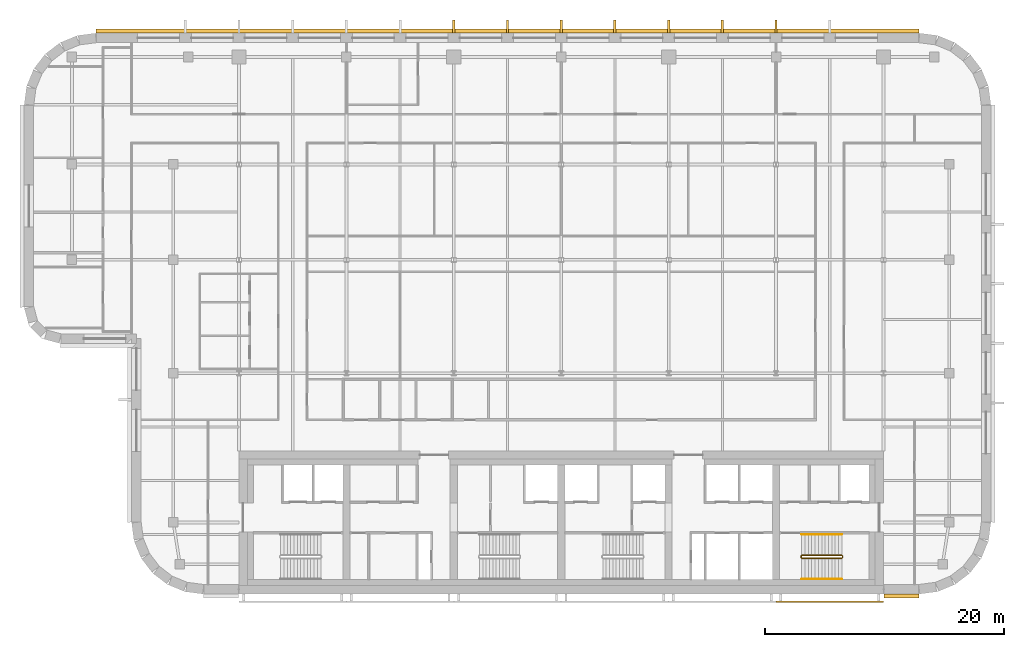
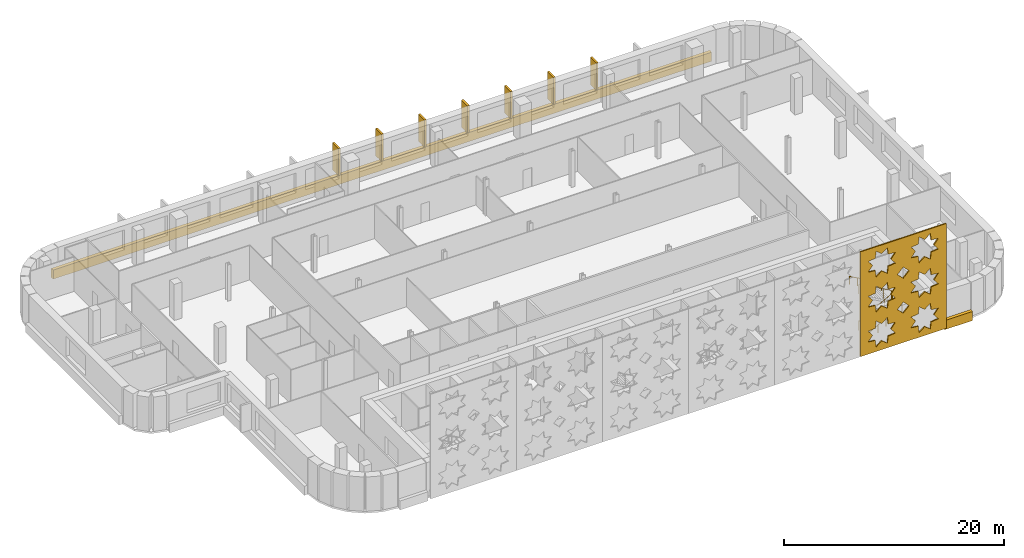
# One storey, part 16 of 18: 10 coverings, 3 railings.
"""IFC4 building model written with IfcOpenShell, lengths in metres."""

import ifcopenshell
import ifcopenshell.guid

model = None  # the IFC model being written
_history = None  # IfcOwnerHistory: only IFC2X3 demands one
_inside = {}  # id of a spatial element -> (the spatial element, [elements in it])
_under = {}  # id of a project, library or spatial element -> (it, [spatial elements below it])
_declared = {}  # id of a project -> (the project, [libraries it declares])
_typed = {}  # id of a type object -> (the type object, [elements of that type])
_made_of = {}  # id of a material, layer set ... -> (it, [elements and type objects made of it])


def new_model(schema):
    """Start an empty IFC model of exactly this schema.

    Asked for "IFC4X3", IfcOpenShell would pick the latest addendum, in which some entities
    have other attributes; the version numbers below select the first issue.
    IFC2X3 requires an IfcOwnerHistory on every rooted entity: one is made here for all.
    """
    global model, _history
    if schema == "IFC4X3":
        model = ifcopenshell.file(schema_version=(4, 3, 0, 0))
    else:
        model = ifcopenshell.file(schema=schema)
    _inside.clear()
    _under.clear()
    _declared.clear()
    _typed.clear()
    _made_of.clear()
    _history = None
    if model.schema == "IFC2X3":
        org = make("IfcOrganization", Name="unknown")
        user = make(
            "IfcPersonAndOrganization",
            ThePerson=make("IfcPerson", FamilyName="unknown"),
            TheOrganization=org,
        )
        app = make(
            "IfcApplication",
            ApplicationDeveloper=org,
            Version="unknown",
            ApplicationFullName="unknown",
            ApplicationIdentifier="unknown",
        )
        _history = make(
            "IfcOwnerHistory",
            OwningUser=user,
            OwningApplication=app,
            ChangeAction="ADDED",
            CreationDate=0,
        )
    return model


def make(cls, **values):
    """One entity of the class cls with the attributes given. An attribute that is None is left unset."""
    return model.create_entity(
        cls, **{name: value for name, value in values.items() if value is not None}
    )


def rooted(cls, **values):
    """An entity with a GlobalId (a new one), such as an element, a storey or a relation."""
    return make(cls, GlobalId=ifcopenshell.guid.new(), OwnerHistory=_history, **values)


def si_unit(unit_type, name, prefix=None):
    """IfcSIUnit, for example si_unit("LENGTHUNIT", "METRE", prefix="MILLI")."""
    return make("IfcSIUnit", UnitType=unit_type, Prefix=prefix, Name=name)


def assignment(units):
    """IfcUnitAssignment: the units of a project."""
    return None if units is None else make("IfcUnitAssignment", Units=units)


def point(xyz):
    """IfcCartesianPoint."""
    return None if xyz is None else make("IfcCartesianPoint", Coordinates=xyz)


def direction(xyz):
    """IfcDirection."""
    return None if xyz is None else make("IfcDirection", DirectionRatios=xyz)


def frame(location, z_axis=None, x_axis=None):
    """IfcAxis2Placement3D, a coordinate frame: its origin and axes. An axis left out is left unset."""
    return make(
        "IfcAxis2Placement3D",
        Location=point(location),
        Axis=direction(z_axis),
        RefDirection=direction(x_axis),
    )


def frame_2d(location, x_axis=None):
    """IfcAxis2Placement2D, a coordinate frame in the plane: its origin and x axis."""
    return make(
        "IfcAxis2Placement2D", Location=point(location), RefDirection=direction(x_axis)
    )


def origin():
    """The frame at (0, 0, 0) with its axes left unset."""
    return frame((0.0, 0.0, 0.0))


def origin_2d():
    """The frame at (0, 0) in the plane with its x axis left unset."""
    return frame_2d((0.0, 0.0))


def place(relative_to, where):
    """IfcLocalPlacement: puts the frame where relative to a parent placement (None: the world)."""
    return make(
        "IfcLocalPlacement", PlacementRelTo=relative_to, RelativePlacement=where
    )


def context(
    kind, dimensions, precision=None, world=None, true_north=None, identifier=None
):
    """IfcGeometricRepresentationContext, for example the 3D "Model" context."""
    return make(
        "IfcGeometricRepresentationContext",
        ContextIdentifier=identifier,
        ContextType=kind,
        CoordinateSpaceDimension=dimensions,
        Precision=precision,
        WorldCoordinateSystem=world,
        TrueNorth=true_north,
    )


def subcontext(parent, identifier, kind, view, scale=None):
    """IfcGeometricRepresentationSubContext, for example "Body" below "Model"."""
    return make(
        "IfcGeometricRepresentationSubContext",
        ContextIdentifier=identifier,
        ContextType=kind,
        ParentContext=parent,
        TargetScale=scale,
        TargetView=view,
    )


def project(units=None, contexts=None):
    """IfcProject with its units and contexts."""
    return rooted(
        "IfcProject",
        Name="project",
        RepresentationContexts=contexts,
        UnitsInContext=assignment(units),
    )


def spatial(cls, under=None, at=None, **own):
    """A site, building, storey or space (cls), placed at a placement, below another one or the project."""
    s = rooted(cls, ObjectPlacement=at, **own)
    if under is not None:
        _under.setdefault(under.id(), (under, []))[1].append(s)
    return s


def polyline(points):
    """IfcPolyline through the points."""
    return make("IfcPolyline", Points=[point(p) for p in points])


def profile(cls, at=None, kind="AREA", **sizes):
    """A parametric profile (cls). Its sizes go by their IFC names, for example OverallWidth=200.0."""
    return make(cls, ProfileType=kind, Position=at, **sizes)


def circle(**sizes):
    """IfcCircleProfileDef."""
    return profile("IfcCircleProfileDef", **sizes)


def outline(outer, holes=None, kind="AREA"):
    """IfcArbitraryClosedProfileDef: a profile drawn as a closed curve; with holes, ...WithVoids."""
    if holes is None:
        return make("IfcArbitraryClosedProfileDef", ProfileType=kind, OuterCurve=outer)
    return make(
        "IfcArbitraryProfileDefWithVoids",
        ProfileType=kind,
        OuterCurve=outer,
        InnerCurves=holes,
    )


def extrude(swept, where, along, depth):
    """IfcExtrudedAreaSolid: the profile swept, set in the frame where, extruded along a direction by depth."""
    return make(
        "IfcExtrudedAreaSolid",
        SweptArea=swept,
        Position=where,
        ExtrudedDirection=direction(along),
        Depth=depth,
    )


def shape(context_of_items, identifier, shape_type, items):
    """IfcShapeRepresentation: the items that make up one representation, for example the "Body"."""
    return make(
        "IfcShapeRepresentation",
        ContextOfItems=context_of_items,
        RepresentationIdentifier=identifier,
        RepresentationType=shape_type,
        Items=items,
    )


def material(Name=None, Category=None):
    """IfcMaterial."""
    return make("IfcMaterial", Name=Name, Category=Category)


def layer(
    of_material, thickness, ventilated=None, Name=None, Category=None, Priority=None
):
    """IfcMaterialLayer: one layer of a wall or slab, of a material (None: an air gap)."""
    return make(
        "IfcMaterialLayer",
        Material=of_material,
        LayerThickness=thickness,
        IsVentilated=ventilated,
        Name=Name,
        Category=Category,
        Priority=Priority,
    )


def layer_set(layers, Name=None):
    """IfcMaterialLayerSet."""
    return make("IfcMaterialLayerSet", MaterialLayers=layers, LayerSetName=Name)


def made_of(thing, what):
    """Note that an element or type object is made of a material, layer set ...; save() writes the relation."""
    if what is not None:
        _made_of.setdefault(what.id(), (what, []))[1].append(thing)
    return thing


def type_object(cls, material=None, **own):
    """A type object (cls), such as IfcWallType, which elements share."""
    return made_of(rooted(cls, **own), material)


def element(
    cls,
    number,
    at=None,
    inside=None,
    cuts=None,
    type_object=None,
    material=None,
    context=None,
    identifier="Body",
    shape_type=None,
    held_by="IfcProductDefinitionShape",
    body=None,
    shapes=None,
    **own,
):
    """One element of the class cls, such as IfcWall. Its Tag is "e" and its number.

    at: its placement. inside: the storey or other place that contains it. cuts: it is an
    opening in that element (IfcRelVoidsElement). A single representation is given by context,
    identifier, shape_type and body (its items); several are given by shapes. held_by: the class
    of the entity that holds the representations. save() writes the other relations.
    """
    e = rooted(cls, Tag="e%d" % number, ObjectPlacement=at, **own)
    if body is not None:
        shapes = [shape(context, identifier, shape_type, body)]
    if shapes is not None:
        e.Representation = make(held_by, Representations=shapes)
    if inside is not None:
        _inside.setdefault(inside.id(), (inside, []))[1].append(e)
    if cuts is not None:
        rooted(
            "IfcRelVoidsElement", RelatingBuildingElement=cuts, RelatedOpeningElement=e
        )
    if type_object is not None:
        _typed.setdefault(type_object.id(), (type_object, []))[1].append(e)
    return made_of(e, material)


def aggregate(whole, parts):
    """IfcRelAggregates: a whole, such as a stair, and the parts it consists of."""
    return rooted("IfcRelAggregates", RelatingObject=whole, RelatedObjects=parts)


def save(model, path):
    """Write the relations noted so far, then the file.

    IfcRelAggregates (storeys below a building ...), IfcRelContainedInSpatialStructure (elements
    in a storey), IfcRelDefinesByType, IfcRelAssociatesMaterial and IfcRelDeclares: one each for
    every whole, place, type object, material and project.
    """
    for whole, parts in _under.values():
        aggregate(whole, parts)
    for where, things in _inside.values():
        rooted(
            "IfcRelContainedInSpatialStructure",
            RelatedElements=things,
            RelatingStructure=where,
        )
    for kind, things in _typed.values():
        rooted("IfcRelDefinesByType", RelatedObjects=things, RelatingType=kind)
    for what, things in _made_of.values():
        rooted("IfcRelAssociatesMaterial", RelatedObjects=things, RelatingMaterial=what)
    for by, libraries in _declared.values():
        rooted("IfcRelDeclares", RelatingContext=by, RelatedDefinitions=libraries)
    model.write(path)


model = new_model("IFC4")

# Units and contexts
model_context = context("Model", 3, precision=1e-05, world=origin(), true_north=direction((0.0, 1.0)))
body_context = subcontext(model_context, "Body", "Model", "MODEL_VIEW")
ifc_project = project(units=[si_unit("LENGTHUNIT", "METRE"), si_unit("AREAUNIT", "SQUARE_METRE"), si_unit("VOLUMEUNIT", "CUBIC_METRE"), si_unit("PLANEANGLEUNIT", "RADIAN"), si_unit("MASSUNIT", "GRAM", prefix="KILO")], contexts=[model_context])

# Site, building, storey
site_placement = place(None, origin())
site = spatial("IfcSite", under=ifc_project, at=site_placement, CompositionType="ELEMENT")
building_placement = place(site_placement, origin())
building = spatial("IfcBuilding", under=site, at=building_placement, Name="Zellij Exchange Tower", CompositionType="ELEMENT")
storey_placement = place(building_placement, frame((0.0, 0.0, 240.5)))
storey = spatial("IfcBuildingStorey", under=building, at=storey_placement, Name="L56", CompositionType="ELEMENT", Elevation=240.5)

# Railings
ifc_material_1 = material(Name="Stainless steel", Category="steel")
railing_type_1 = type_object("IfcRailingType", Name="CORE-RG stair guard", PredefinedType="GUARDRAIL", material=ifc_material_1)
railing_1_placement = place(storey_placement, frame((20.10009765625, -10.949951171875, 0.0)))
element("IfcRailing", 1, at=railing_1_placement, inside=storey, type_object=railing_type_1, Name="ST4 stair guard L56", PredefinedType="GUARDRAIL", context=body_context, shape_type="SweptSolid", body=[
    extrude(circle(Radius=0.02392578125, at=origin_2d()), frame((0.0, 0.0, 1.076171875), z_axis=(0.0, 1.0, 0.0), x_axis=(-1.0, 0.0, 0.0)), (0.0, 0.0, 1.0), 0.14990234375),
    extrude(circle(Radius=0.02392578125, at=origin_2d()), frame((0.0, 0.14990234375, 1.076171875), z_axis=(0.193691321961, -0.777613689637, 0.598164376644), x_axis=(0.970351222016, 0.241699205484, 0.0)), (0.0, 0.0, 1.0), 0.257080078125),
    extrude(circle(Radius=0.02392578125, at=origin_2d()), frame((0.0498046875, -0.050048828125, 1.22998046875), z_axis=(0.876421534553, 0.0, 0.481544695509), x_axis=(0.0, 1.0, 0.0)), (0.0, 0.0, 1.0), 3.833984375),
    extrude(circle(Radius=0.02392578125, at=origin_2d()), frame((3.409912109375, -0.050048828125, 3.076171875), z_axis=(0.707106781187, 0.707106781187, 0.0), x_axis=(-0.707106781187, 0.707106781187, 0.0)), (0.0, 0.0, 1.0), 0.07080078125),
    extrude(circle(Radius=0.02392578125, at=origin_2d()), frame((3.4599609375, 0.0, 3.076171875), z_axis=(0.0, 1.0, 0.0), x_axis=(-1.0, 0.0, 0.0)), (0.0, 0.0, 1.0), 0.14990234375),
    extrude(circle(Radius=0.02392578125, at=origin_2d()), frame((3.4599609375, 0.14990234375, 3.076171875), z_axis=(-0.295599637079, 0.295599637079, 0.908428152975), x_axis=(-0.707106781187, -0.707106781187, 0.0)), (0.0, 0.0, 1.0), 0.16943359375),
    extrude(circle(Radius=0.02392578125, at=origin_2d()), frame((3.409912109375, 0.199951171875, 3.22998046875), z_axis=(-0.876421534553, 0.0, 0.481544695509), x_axis=(0.0, -1.0, 0.0)), (0.0, 0.0, 1.0), 3.833984375),
    extrude(circle(Radius=0.02099609375, at=origin_2d()), origin(), (0.0, 0.0, 1.0), 1.052001953125),
    extrude(circle(Radius=0.02099609375, at=origin_2d()), frame((0.0, 0.14990234375, 0.0)), (0.0, 0.0, 1.0), 1.052001953125),
    extrude(circle(Radius=0.02099609375, at=origin_2d()), frame((0.0498046875, -0.050048828125, 0.15380859375)), (0.0, 0.0, 1.0), 1.052001953125),
    extrude(circle(Radius=0.02099609375, at=origin_2d()), frame((0.889892578125, -0.050048828125, 0.615234375)), (0.0, 0.0, 1.0), 1.052001953125),
    extrude(circle(Radius=0.02099609375, at=origin_2d()), frame((1.72998046875, -0.050048828125, 1.076904296875)), (0.0, 0.0, 1.0), 1.052001953125),
    extrude(circle(Radius=0.02099609375, at=origin_2d()), frame((2.56982421875, -0.050048828125, 1.53857421875)), (0.0, 0.0, 1.0), 1.052001953125),
    extrude(circle(Radius=0.02099609375, at=origin_2d()), frame((3.409912109375, -0.050048828125, 2.0)), (0.0, 0.0, 1.0), 1.052001953125),
    extrude(circle(Radius=0.02099609375, at=origin_2d()), frame((3.4599609375, 0.0, 2.0)), (0.0, 0.0, 1.0), 1.052001953125),
    extrude(circle(Radius=0.02099609375, at=origin_2d()), frame((3.4599609375, 0.14990234375, 2.0)), (0.0, 0.0, 1.0), 1.052001953125),
    extrude(circle(Radius=0.02099609375, at=origin_2d()), frame((3.409912109375, 0.199951171875, 2.15380859375)), (0.0, 0.0, 1.0), 1.052001953125),
    extrude(circle(Radius=0.02099609375, at=origin_2d()), frame((2.56982421875, 0.199951171875, 2.615234375)), (0.0, 0.0, 1.0), 1.052001953125),
    extrude(circle(Radius=0.02099609375, at=origin_2d()), frame((1.72998046875, 0.199951171875, 3.076904296875)), (0.0, 0.0, 1.0), 1.052001953125),
    extrude(circle(Radius=0.02099609375, at=origin_2d()), frame((0.889892578125, 0.199951171875, 3.53857421875)), (0.0, 0.0, 1.0), 1.052001953125),
    extrude(circle(Radius=0.02099609375, at=origin_2d()), frame((0.0498046875, 0.199951171875, 4.0)), (0.0, 0.0, 1.0), 1.052001953125),
])
railing_type_2 = type_object("IfcRailingType", Name="CORE-RH stair handrail", PredefinedType="HANDRAIL", material=ifc_material_1)
railing_2_placement = place(storey_placement, frame((20.14990234375, -12.75, 0.15380859375)))
element("IfcRailing", 2, at=railing_2_placement, inside=storey, type_object=railing_type_2, Name="ST4 stair handrail L56", PredefinedType="HANDRAIL", context=body_context, shape_type="SweptSolid", body=[
    extrude(circle(Radius=0.02392578125, at=origin_2d()), frame((0.0, 0.0, 0.8759765625), z_axis=(0.876421534553, 0.0, 0.481544695509), x_axis=(0.0, 1.0, 0.0)), (0.0, 0.0, 1.0), 3.833984375),
    extrude(circle(Radius=0.02099609375, at=origin_2d()), origin(), (0.0, 0.0, 1.0), 0.851806640625),
    extrude(circle(Radius=0.02099609375, at=origin_2d()), frame((0.840087890625, 0.0, 0.46142578125)), (0.0, 0.0, 1.0), 0.851806640625),
    extrude(circle(Radius=0.02099609375, at=origin_2d()), frame((1.68017578125, 0.0, 0.923095703125)), (0.0, 0.0, 1.0), 0.851806640625),
    extrude(circle(Radius=0.02099609375, at=origin_2d()), frame((2.52001953125, 0.0, 1.384765625)), (0.0, 0.0, 1.0), 0.851806640625),
    extrude(circle(Radius=0.02099609375, at=origin_2d()), frame((3.360107421875, 0.0, 1.84619140625)), (0.0, 0.0, 1.0), 0.851806640625),
])
railing_3_placement = place(storey_placement, frame((23.510009765625, -9.0, 2.15380859375)))
element("IfcRailing", 3, at=railing_3_placement, inside=storey, type_object=railing_type_2, Name="ST4 stair handrail L56", PredefinedType="HANDRAIL", context=body_context, shape_type="SweptSolid", body=[
    extrude(circle(Radius=0.02392578125, at=origin_2d()), frame((0.0, 0.0, 0.8759765625), z_axis=(-0.876421534553, 0.0, 0.481544695509), x_axis=(0.0, -1.0, 0.0)), (0.0, 0.0, 1.0), 3.833984375),
    extrude(circle(Radius=0.02099609375, at=origin_2d()), origin(), (0.0, 0.0, 1.0), 0.851806640625),
    extrude(circle(Radius=0.02099609375, at=origin_2d()), frame((-0.840087890625, 0.0, 0.46142578125)), (0.0, 0.0, 1.0), 0.851806640625),
    extrude(circle(Radius=0.02099609375, at=origin_2d()), frame((-1.68017578125, 0.0, 0.923095703125)), (0.0, 0.0, 1.0), 0.851806640625),
    extrude(circle(Radius=0.02099609375, at=origin_2d()), frame((-2.52001953125, 0.0, 1.384765625)), (0.0, 0.0, 1.0), 0.851806640625),
    extrude(circle(Radius=0.02099609375, at=origin_2d()), frame((-3.360107421875, 0.0, 1.84619140625)), (0.0, 0.0, 1.0), 0.851806640625),
])

# Coverings
ifc_material_2 = material(Name="Limestone cladding", Category="masonry")
ifc_layer_1 = layer(ifc_material_2, 0.35009765625)
ifc_layer_set_1 = layer_set([ifc_layer_1], Name="Limestone cladding")
covering_type_1 = type_object("IfcCoveringType", Name="ENV-CV10 Stone spandrel band 350", PredefinedType="CLADDING", material=ifc_layer_set_1)
covering_1_placement = place(storey_placement, frame((0.0, 0.0, -0.199951171875)))
element("IfcCovering", 4, at=covering_1_placement, inside=storey, type_object=covering_type_1, Name="Stone spandrel band", PredefinedType="CLADDING", context=body_context, shape_type="SweptSolid", body=[
    extrude(outline(polyline([(27.050048828125, -14.0), (29.973876953125, -14.0), (29.973876953125, -14.35009765625), (27.050048828125, -14.35009765625), (27.050048828125, -14.0)])), origin(), (0.0, 0.0, 1.0), 1.0),
])
covering_2_placement = place(storey_placement, frame((0.0, 0.0, -0.199951171875)))
element("IfcCovering", 5, at=covering_2_placement, inside=storey, type_object=covering_type_1, Name="Stone spandrel band", PredefinedType="CLADDING", context=body_context, shape_type="SweptSolid", body=[
    extrude(outline(polyline([(29.973876953125, 33.0), (-38.973876953125, 33.0), (-38.99658203125, 33.35009765625), (29.99658203125, 33.35009765625), (29.973876953125, 33.0)])), origin(), (0.0, 0.0, 1.0), 1.0),
])
covering_type_2 = type_object("IfcCoveringType", Name="ENV-CV6 Stone pier 200x1100", PredefinedType="CLADDING", material=ifc_material_2)
covering_3_placement = place(storey_placement, frame((0.0, 0.0, 0.800048828125)))
element("IfcCovering", 6, at=covering_3_placement, inside=storey, type_object=covering_type_2, Name="Stone pier", PredefinedType="CLADDING", context=body_context, shape_type="SweptSolid", body=[
    extrude(outline(polyline([(18.10009765625, 33.0), (17.89990234375, 33.0), (17.89990234375, 34.10009765625), (18.10009765625, 34.10009765625), (18.10009765625, 33.0)])), origin(), (0.0, 0.0, 1.0), 3.0),
])
covering_4_placement = place(storey_placement, frame((0.0, 0.0, 0.800048828125)))
element("IfcCovering", 7, at=covering_4_placement, inside=storey, type_object=covering_type_2, Name="Stone pier", PredefinedType="CLADDING", context=body_context, shape_type="SweptSolid", body=[
    extrude(outline(polyline([(13.60009765625, 33.0), (13.39990234375, 33.0), (13.39990234375, 34.10009765625), (13.60009765625, 34.10009765625), (13.60009765625, 33.0)])), origin(), (0.0, 0.0, 1.0), 3.0),
])
covering_5_placement = place(storey_placement, frame((0.0, 0.0, 0.800048828125)))
element("IfcCovering", 8, at=covering_5_placement, inside=storey, type_object=covering_type_2, Name="Stone pier", PredefinedType="CLADDING", context=body_context, shape_type="SweptSolid", body=[
    extrude(outline(polyline([(9.10009765625, 33.0), (8.89990234375, 33.0), (8.89990234375, 34.10009765625), (9.10009765625, 34.10009765625), (9.10009765625, 33.0)])), origin(), (0.0, 0.0, 1.0), 3.0),
])
covering_6_placement = place(storey_placement, frame((0.0, 0.0, 0.800048828125)))
element("IfcCovering", 9, at=covering_6_placement, inside=storey, type_object=covering_type_2, Name="Stone pier", PredefinedType="CLADDING", context=body_context, shape_type="SweptSolid", body=[
    extrude(outline(polyline([(4.60009765625, 33.0), (4.39990234375, 33.0), (4.39990234375, 34.10009765625), (4.60009765625, 34.10009765625), (4.60009765625, 33.0)])), origin(), (0.0, 0.0, 1.0), 3.0),
])
covering_7_placement = place(storey_placement, frame((0.0, 0.0, 0.800048828125)))
element("IfcCovering", 10, at=covering_7_placement, inside=storey, type_object=covering_type_2, Name="Stone pier", PredefinedType="CLADDING", context=body_context, shape_type="SweptSolid", body=[
    extrude(outline(polyline([(0.10009765625, 33.0), (-0.10009765625, 33.0), (-0.10009765625, 34.10009765625), (0.10009765625, 34.10009765625), (0.10009765625, 33.0)])), origin(), (0.0, 0.0, 1.0), 3.0),
])
covering_8_placement = place(storey_placement, frame((0.0, 0.0, 0.800048828125)))
element("IfcCovering", 11, at=covering_8_placement, inside=storey, type_object=covering_type_2, Name="Stone pier", PredefinedType="CLADDING", context=body_context, shape_type="SweptSolid", body=[
    extrude(outline(polyline([(-4.39990234375, 33.0), (-4.60009765625, 33.0), (-4.60009765625, 34.10009765625), (-4.39990234375, 34.10009765625), (-4.39990234375, 33.0)])), origin(), (0.0, 0.0, 1.0), 3.0),
])
covering_9_placement = place(storey_placement, frame((0.0, 0.0, 0.800048828125)))
element("IfcCovering", 12, at=covering_9_placement, inside=storey, type_object=covering_type_2, Name="Stone pier", PredefinedType="CLADDING", context=body_context, shape_type="SweptSolid", body=[
    extrude(outline(polyline([(-8.89990234375, 33.0), (-9.10009765625, 33.0), (-9.10009765625, 34.10009765625), (-8.89990234375, 34.10009765625), (-8.89990234375, 33.0)])), origin(), (0.0, 0.0, 1.0), 3.0),
])
ifc_material_3 = material(Name="Limestone screen", Category="masonry")
ifc_layer_2 = layer(ifc_material_3, 0.1201171875)
ifc_layer_set_2 = layer_set([ifc_layer_2], Name="Limestone screen")
covering_type_3 = type_object("IfcCoveringType", Name="ENV-SC5 Pierced stone relief 120", PredefinedType="USERDEFINED", material=ifc_layer_set_2)
covering_10_placement = place(storey_placement, frame((18.0, -14.659912109375, 0.199951171875), z_axis=(0.0, 0.0, 1.0), x_axis=(1.0, 0.0, 0.0)))
element("IfcCovering", 13, at=covering_10_placement, inside=storey, type_object=covering_type_3, Name="Pierced stone relief", ObjectType="SCREEN", PredefinedType="USERDEFINED", context=body_context, shape_type="SweptSolid", body=[
    extrude(outline(polyline([(0.0, 0.0), (9.0, 0.0), (9.0, 11.60009765625), (0.0, 11.60009765625), (0.0, 0.0)]), holes=[polyline([(3.678955078125, 2.525146484375), (2.927978515625, 2.611328125), (2.841796875, 3.3623046875), (2.25, 2.892333984375), (1.658203125, 3.3623046875), (1.572021484375, 2.611328125), (0.821044921875, 2.525146484375), (1.291015625, 1.933349609375), (0.821044921875, 1.34130859375), (1.572021484375, 1.25537109375), (1.658203125, 0.50439453125), (2.25, 0.974365234375), (2.841796875, 0.50439453125), (2.927978515625, 1.25537109375), (3.678955078125, 1.34130859375), (3.208984375, 1.933349609375), (3.678955078125, 2.525146484375)]), polyline([(3.678955078125, 6.391845703125), (2.927978515625, 6.47802734375), (2.841796875, 7.22900390625), (2.25, 6.7587890625), (1.658203125, 7.22900390625), (1.572021484375, 6.47802734375), (0.821044921875, 6.391845703125), (1.291015625, 5.800048828125), (0.821044921875, 5.2080078125), (1.572021484375, 5.121826171875), (1.658203125, 4.37109375), (2.25, 4.841064453125), (2.841796875, 4.37109375), (2.927978515625, 5.121826171875), (3.678955078125, 5.2080078125), (3.208984375, 5.800048828125), (3.678955078125, 6.391845703125)]), polyline([(3.678955078125, 10.258544921875), (2.927978515625, 10.3447265625), (2.841796875, 11.095703125), (2.25, 10.62548828125), (1.658203125, 11.095703125), (1.572021484375, 10.3447265625), (0.821044921875, 10.258544921875), (1.291015625, 9.666748046875), (0.821044921875, 9.07470703125), (1.572021484375, 8.988525390625), (1.658203125, 8.23779296875), (2.25, 8.707763671875), (2.841796875, 8.23779296875), (2.927978515625, 8.988525390625), (3.678955078125, 9.07470703125), (3.208984375, 9.666748046875), (3.678955078125, 10.258544921875)]), polyline([(8.178955078125, 2.525146484375), (7.427978515625, 2.611328125), (7.341796875, 3.3623046875), (6.75, 2.892333984375), (6.158203125, 3.3623046875), (6.072021484375, 2.611328125), (5.321044921875, 2.525146484375), (5.791015625, 1.933349609375), (5.321044921875, 1.34130859375), (6.072021484375, 1.25537109375), (6.158203125, 0.50439453125), (6.75, 0.974365234375), (7.341796875, 0.50439453125), (7.427978515625, 1.25537109375), (8.178955078125, 1.34130859375), (7.708984375, 1.933349609375), (8.178955078125, 2.525146484375)]), polyline([(8.178955078125, 6.391845703125), (7.427978515625, 6.47802734375), (7.341796875, 7.22900390625), (6.75, 6.7587890625), (6.158203125, 7.22900390625), (6.072021484375, 6.47802734375), (5.321044921875, 6.391845703125), (5.791015625, 5.800048828125), (5.321044921875, 5.2080078125), (6.072021484375, 5.121826171875), (6.158203125, 4.37109375), (6.75, 4.841064453125), (7.341796875, 4.37109375), (7.427978515625, 5.121826171875), (8.178955078125, 5.2080078125), (7.708984375, 5.800048828125), (8.178955078125, 6.391845703125)]), polyline([(8.178955078125, 10.258544921875), (7.427978515625, 10.3447265625), (7.341796875, 11.095703125), (6.75, 10.62548828125), (6.158203125, 11.095703125), (6.072021484375, 10.3447265625), (5.321044921875, 10.258544921875), (5.791015625, 9.666748046875), (5.321044921875, 9.07470703125), (6.072021484375, 8.988525390625), (6.158203125, 8.23779296875), (6.75, 8.707763671875), (7.341796875, 8.23779296875), (7.427978515625, 8.988525390625), (8.178955078125, 9.07470703125), (7.708984375, 9.666748046875), (8.178955078125, 10.258544921875)]), polyline([(5.11865234375, 3.86669921875), (4.5, 4.4853515625), (3.88134765625, 3.86669921875), (4.5, 3.248046875), (5.11865234375, 3.86669921875)]), polyline([(5.11865234375, 7.7333984375), (4.5, 8.35205078125), (3.88134765625, 7.7333984375), (4.5, 7.11474609375), (5.11865234375, 7.7333984375)])]), frame((0.0, 0.06005859375, 0.0), z_axis=(0.0, -1.0, 0.0), x_axis=(1.0, 0.0, 0.0)), (0.0, 0.0, 1.0), 0.1201171875),
])

save(model, "model.ifc")
